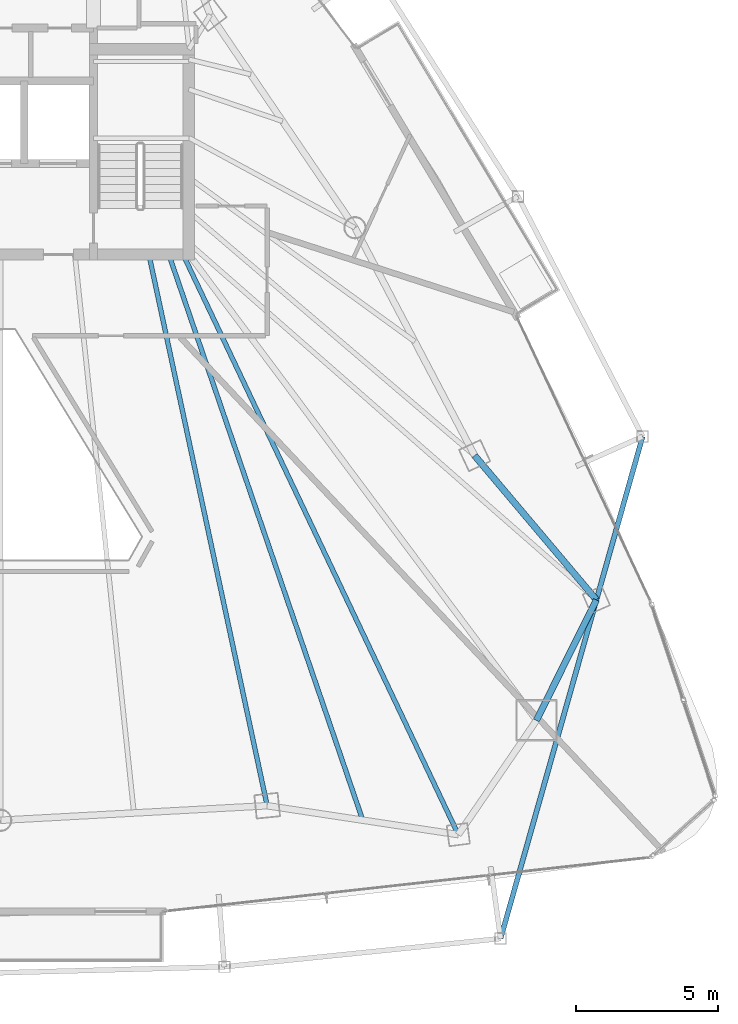
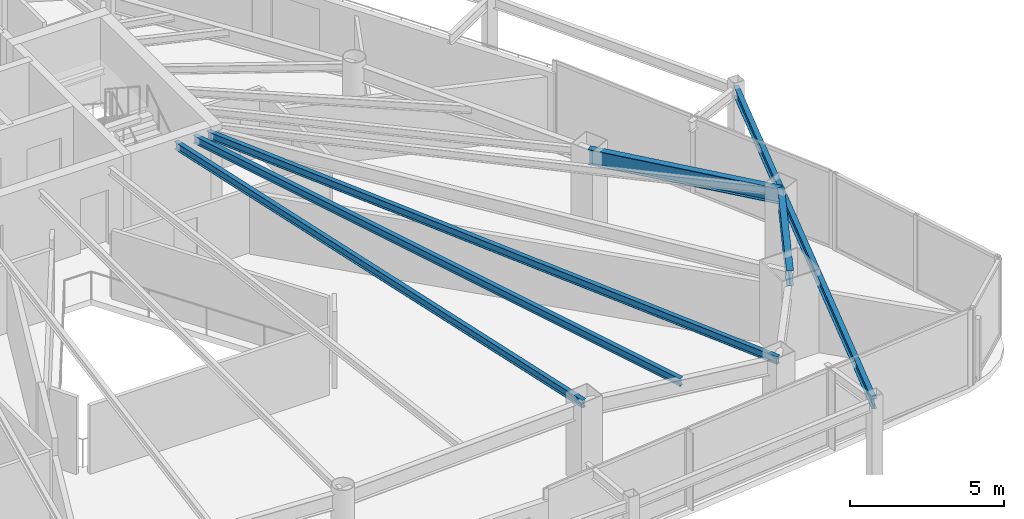
# One storey, part 15 of 31: 6 beams.
"""IFC4 building model written with IfcOpenShell, lengths in metres."""

from ifc_helpers import new_model, si_unit, direction, frame, origin, origin_2d, place, context, subcontext, project, spatial, i_section, extrude, material, material_profile, profile_set, type_object, element, save


model = new_model("IFC4")

# Units and contexts
model_context = context("Model", 3, precision=1e-05, world=origin(), true_north=direction((0.0, 1.0)))
body_context = subcontext(model_context, "Body", "Model", "MODEL_VIEW")
ifc_project = project(units=[si_unit("LENGTHUNIT", "METRE"), si_unit("AREAUNIT", "SQUARE_METRE"), si_unit("VOLUMEUNIT", "CUBIC_METRE"), si_unit("PLANEANGLEUNIT", "RADIAN"), si_unit("MASSUNIT", "GRAM", prefix="KILO")], contexts=[model_context])

# Site, building, storey
site_placement = place(None, origin())
site = spatial("IfcSite", under=ifc_project, at=site_placement, CompositionType="ELEMENT")
building_placement = place(site_placement, origin())
building = spatial("IfcBuilding", under=site, at=building_placement, Name="Orvanel Arch Residences", CompositionType="ELEMENT")
storey_placement = place(building_placement, frame((0.0, 0.0, 153.949951171875)))
storey = spatial("IfcBuildingStorey", under=building, at=storey_placement, Name="L43", CompositionType="ELEMENT", Elevation=153.949951171875)

# Beams
ifc_material = material(Name="Structural steel AS/NZS 3679.1 Grade 300 (300 MPa)", Category="steel")
ifc_material_profile_1 = material_profile(ifc_material, i_section(OverallWidth=0.1650390625, OverallDepth=0.303955078125, WebThickness=0.006103515625, FlangeThickness=0.01025390625, at=origin_2d()), Name="310UB40.4")
ifc_profile_set_1 = profile_set([ifc_material_profile_1], Name="Structural steel AS/NZS 3679.1 Grade 300 (300 MPa)")
beam_type_1 = type_object("IfcBeamType", Name="BJ-310UB", PredefinedType="JOIST", material=ifc_profile_set_1)
beam_1_placement = place(storey_placement, frame((38.199951171875, 26.699951171875, 2.907958984375), z_axis=(0.209808012425, -0.977742603103, 0.0), x_axis=(0.977742603103, 0.209808012425, 0.0)))
element("IfcBeam", 1, at=beam_1_placement, inside=storey, type_object=beam_type_1, Name="L43 SE Wing Floor Joist", PredefinedType="JOIST", context=body_context, shape_type="SweptSolid", body=[
    extrude(i_section(OverallWidth=0.1650390625, OverallDepth=0.303955078125, WebThickness=0.006103515625, FlangeThickness=0.01025390625, at=origin_2d()), origin(), (0.0, 0.0, 1.0), 19.785400390625),
])
beam_2_placement = place(storey_placement, frame((39.39990234375, 26.699951171875, 2.907958984375), z_axis=(0.428614365266, -0.903487534993, 0.0), x_axis=(0.903487534993, 0.428614365266, 0.0)))
element("IfcBeam", 2, at=beam_2_placement, inside=storey, type_object=beam_type_1, Name="L43 MSE Wing Floor Joist", PredefinedType="JOIST", context=body_context, shape_type="SweptSolid", body=[
    extrude(i_section(OverallWidth=0.1650390625, OverallDepth=0.303955078125, WebThickness=0.006103515625, FlangeThickness=0.01025390625, at=origin_2d()), origin(), (0.0, 0.0, 1.0), 22.535888671875),
])
beam_3_placement = place(storey_placement, frame((38.89990234375, 26.699951171875, 2.907958984375), z_axis=(0.324257108963, -0.945968988544, 0.0), x_axis=(0.945968988544, 0.324257108963, 0.0)))
element("IfcBeam", 3, at=beam_3_placement, inside=storey, type_object=beam_type_1, Name="L43 JADD2 Wing Floor Joist", PredefinedType="JOIST", context=body_context, shape_type="SweptSolid", body=[
    extrude(i_section(OverallWidth=0.1650390625, OverallDepth=0.303955078125, WebThickness=0.006103515625, FlangeThickness=0.01025390625, at=origin_2d()), origin(), (0.0, 0.0, 1.0), 20.987060546875),
])
ifc_material_profile_2 = material_profile(ifc_material, i_section(OverallWidth=0.177978515625, OverallDepth=0.406005859375, WebThickness=0.0078125, FlangeThickness=0.0126953125, at=origin_2d()), Name="410UB59.7")
ifc_profile_set_2 = profile_set([ifc_material_profile_2], Name="Structural steel AS/NZS 3679.1 Grade 300 (300 MPa)")
beam_type_2 = type_object("IfcBeamType", Name="OB-410UB-EXT", PredefinedType="SPANDREL", material=ifc_profile_set_2)
beam_4_placement = place(storey_placement, frame((50.54296875, 2.693115234375, 2.85693359375), z_axis=(0.272239085269, 0.962229640186, 0.0), x_axis=(-0.962229640186, 0.272239085269, 0.0)))
element("IfcBeam", 4, at=beam_4_placement, inside=storey, type_object=beam_type_2, Name="L43 Outer Perimeter Floor Ring Beam 08", PredefinedType="SPANDREL", context=body_context, shape_type="SweptSolid", body=[
    extrude(i_section(OverallWidth=0.177978515625, OverallDepth=0.406005859375, WebThickness=0.0078125, FlangeThickness=0.0126953125, at=origin_2d()), origin(), (0.0, 0.0, 1.0), 18.3115234375),
])
ifc_material_profile_3 = material_profile(ifc_material, i_section(OverallWidth=0.22900390625, OverallDepth=0.612060546875, WebThickness=0.011962890625, FlangeThickness=0.01953125, at=origin_2d()), Name="610UB125")
ifc_profile_set_3 = profile_set([ifc_material_profile_3], Name="Structural steel AS/NZS 3679.1 Grade 300 (300 MPa)")
beam_type_3 = type_object("IfcBeamType", Name="SP-610UB", PredefinedType="SPANDREL", material=ifc_profile_set_3)
beam_5_placement = place(storey_placement, frame((51.801025390625, 10.35107421875, 2.754150390625), z_axis=(0.44543469453, 0.895314432425, 0.0), x_axis=(-0.895314432425, 0.44543469453, 0.0)))
element("IfcBeam", 5, at=beam_5_placement, inside=storey, type_object=beam_type_3, Name="L43 Perimeter Spandrel Beam 09", PredefinedType="SPANDREL", context=body_context, shape_type="SweptSolid", body=[
    extrude(i_section(OverallWidth=0.22900390625, OverallDepth=0.612060546875, WebThickness=0.011962890625, FlangeThickness=0.01953125, at=origin_2d()), origin(), (0.0, 0.0, 1.0), 4.723388671875),
])
beam_6_placement = place(storey_placement, frame((53.905029296875, 14.580078125, 2.754150390625), z_axis=(-0.644950329775, 0.764224490659, 0.0), x_axis=(-0.764224490659, -0.644950329775, 0.0)))
element("IfcBeam", 6, at=beam_6_placement, inside=storey, type_object=beam_type_3, Name="L43 Perimeter Spandrel Beam 10", PredefinedType="SPANDREL", context=body_context, shape_type="SweptSolid", body=[
    extrude(i_section(OverallWidth=0.22900390625, OverallDepth=0.612060546875, WebThickness=0.011962890625, FlangeThickness=0.01953125, at=origin_2d()), origin(), (0.0, 0.0, 1.0), 6.623779296875),
])

save(model, "model.ifc")
